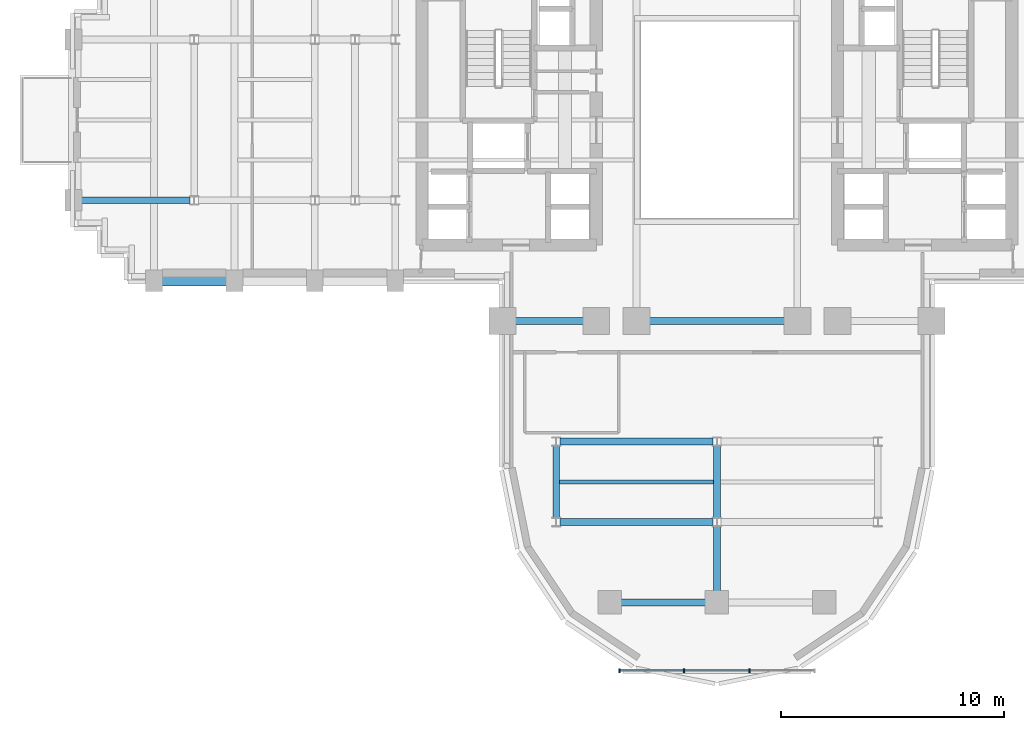
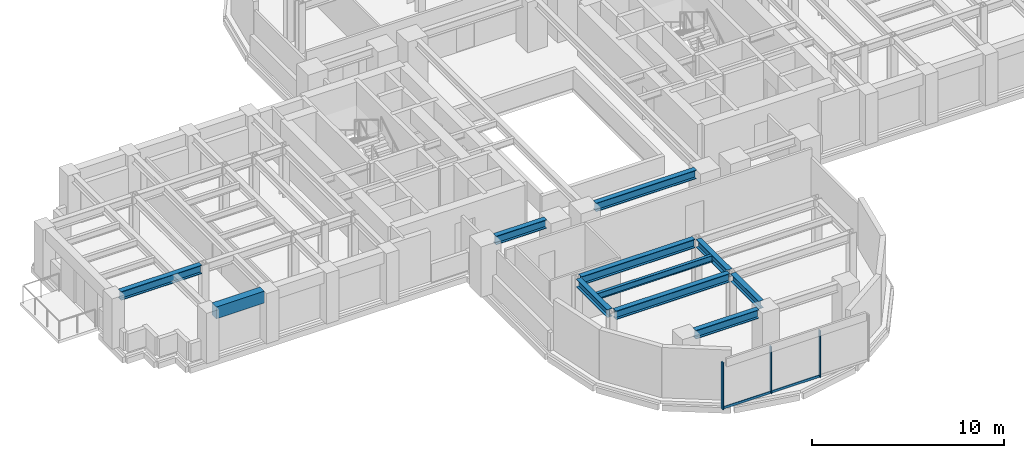
# One storey, part 3 of 14: 11 beams, 5 members, 1 element without a shape of its own.
"""IFC4 building model written with IfcOpenShell, lengths in metres."""

import ifcopenshell
import ifcopenshell.guid

model = None  # the IFC model being written
_history = None  # IfcOwnerHistory: only IFC2X3 demands one
_inside = {}  # id of a spatial element -> (the spatial element, [elements in it])
_under = {}  # id of a project, library or spatial element -> (it, [spatial elements below it])
_declared = {}  # id of a project -> (the project, [libraries it declares])
_typed = {}  # id of a type object -> (the type object, [elements of that type])
_made_of = {}  # id of a material, layer set ... -> (it, [elements and type objects made of it])


def new_model(schema):
    """Start an empty IFC model of exactly this schema.

    Asked for "IFC4X3", IfcOpenShell would pick the latest addendum, in which some entities
    have other attributes; the version numbers below select the first issue.
    IFC2X3 requires an IfcOwnerHistory on every rooted entity: one is made here for all.
    """
    global model, _history
    if schema == "IFC4X3":
        model = ifcopenshell.file(schema_version=(4, 3, 0, 0))
    else:
        model = ifcopenshell.file(schema=schema)
    _inside.clear()
    _under.clear()
    _declared.clear()
    _typed.clear()
    _made_of.clear()
    _history = None
    if model.schema == "IFC2X3":
        org = make("IfcOrganization", Name="unknown")
        user = make(
            "IfcPersonAndOrganization",
            ThePerson=make("IfcPerson", FamilyName="unknown"),
            TheOrganization=org,
        )
        app = make(
            "IfcApplication",
            ApplicationDeveloper=org,
            Version="unknown",
            ApplicationFullName="unknown",
            ApplicationIdentifier="unknown",
        )
        _history = make(
            "IfcOwnerHistory",
            OwningUser=user,
            OwningApplication=app,
            ChangeAction="ADDED",
            CreationDate=0,
        )
    return model


def make(cls, **values):
    """One entity of the class cls with the attributes given. An attribute that is None is left unset."""
    return model.create_entity(
        cls, **{name: value for name, value in values.items() if value is not None}
    )


def rooted(cls, **values):
    """An entity with a GlobalId (a new one), such as an element, a storey or a relation."""
    return make(cls, GlobalId=ifcopenshell.guid.new(), OwnerHistory=_history, **values)


def si_unit(unit_type, name, prefix=None):
    """IfcSIUnit, for example si_unit("LENGTHUNIT", "METRE", prefix="MILLI")."""
    return make("IfcSIUnit", UnitType=unit_type, Prefix=prefix, Name=name)


def assignment(units):
    """IfcUnitAssignment: the units of a project."""
    return None if units is None else make("IfcUnitAssignment", Units=units)


def point(xyz):
    """IfcCartesianPoint."""
    return None if xyz is None else make("IfcCartesianPoint", Coordinates=xyz)


def direction(xyz):
    """IfcDirection."""
    return None if xyz is None else make("IfcDirection", DirectionRatios=xyz)


def frame(location, z_axis=None, x_axis=None):
    """IfcAxis2Placement3D, a coordinate frame: its origin and axes. An axis left out is left unset."""
    return make(
        "IfcAxis2Placement3D",
        Location=point(location),
        Axis=direction(z_axis),
        RefDirection=direction(x_axis),
    )


def frame_2d(location, x_axis=None):
    """IfcAxis2Placement2D, a coordinate frame in the plane: its origin and x axis."""
    return make(
        "IfcAxis2Placement2D", Location=point(location), RefDirection=direction(x_axis)
    )


def origin():
    """The frame at (0, 0, 0) with its axes left unset."""
    return frame((0.0, 0.0, 0.0))


def origin_2d():
    """The frame at (0, 0) in the plane with its x axis left unset."""
    return frame_2d((0.0, 0.0))


def place(relative_to, where):
    """IfcLocalPlacement: puts the frame where relative to a parent placement (None: the world)."""
    return make(
        "IfcLocalPlacement", PlacementRelTo=relative_to, RelativePlacement=where
    )


def context(
    kind, dimensions, precision=None, world=None, true_north=None, identifier=None
):
    """IfcGeometricRepresentationContext, for example the 3D "Model" context."""
    return make(
        "IfcGeometricRepresentationContext",
        ContextIdentifier=identifier,
        ContextType=kind,
        CoordinateSpaceDimension=dimensions,
        Precision=precision,
        WorldCoordinateSystem=world,
        TrueNorth=true_north,
    )


def subcontext(parent, identifier, kind, view, scale=None):
    """IfcGeometricRepresentationSubContext, for example "Body" below "Model"."""
    return make(
        "IfcGeometricRepresentationSubContext",
        ContextIdentifier=identifier,
        ContextType=kind,
        ParentContext=parent,
        TargetScale=scale,
        TargetView=view,
    )


def project(units=None, contexts=None):
    """IfcProject with its units and contexts."""
    return rooted(
        "IfcProject",
        Name="project",
        RepresentationContexts=contexts,
        UnitsInContext=assignment(units),
    )


def spatial(cls, under=None, at=None, **own):
    """A site, building, storey or space (cls), placed at a placement, below another one or the project."""
    s = rooted(cls, ObjectPlacement=at, **own)
    if under is not None:
        _under.setdefault(under.id(), (under, []))[1].append(s)
    return s


def profile(cls, at=None, kind="AREA", **sizes):
    """A parametric profile (cls). Its sizes go by their IFC names, for example OverallWidth=200.0."""
    return make(cls, ProfileType=kind, Position=at, **sizes)


def rectangle(**sizes):
    """IfcRectangleProfileDef."""
    return profile("IfcRectangleProfileDef", **sizes)


def i_section(**sizes):
    """IfcIShapeProfileDef."""
    return profile("IfcIShapeProfileDef", **sizes)


def extrude(swept, where, along, depth):
    """IfcExtrudedAreaSolid: the profile swept, set in the frame where, extruded along a direction by depth."""
    return make(
        "IfcExtrudedAreaSolid",
        SweptArea=swept,
        Position=where,
        ExtrudedDirection=direction(along),
        Depth=depth,
    )


def shape(context_of_items, identifier, shape_type, items):
    """IfcShapeRepresentation: the items that make up one representation, for example the "Body"."""
    return make(
        "IfcShapeRepresentation",
        ContextOfItems=context_of_items,
        RepresentationIdentifier=identifier,
        RepresentationType=shape_type,
        Items=items,
    )


def source(mapping_origin, context_of_items, identifier, shape_type, items):
    """IfcRepresentationMap: a shape defined once, which mapped items show again and again."""
    return make(
        "IfcRepresentationMap",
        MappingOrigin=mapping_origin,
        MappedRepresentation=shape(context_of_items, identifier, shape_type, items),
    )


def transform(
    local_origin,
    x_axis=None,
    y_axis=None,
    z_axis=None,
    scale=None,
    scale2=None,
    scale3=None,
    uniform=True,
):
    """IfcCartesianTransformationOperator3D, or its non-uniform kind. x_axis, y_axis, z_axis: its Axis1, 2, 3."""
    if uniform:
        return make(
            "IfcCartesianTransformationOperator3D",
            Axis1=direction(x_axis),
            Axis2=direction(y_axis),
            LocalOrigin=point(local_origin),
            Scale=scale,
            Axis3=direction(z_axis),
        )
    return make(
        "IfcCartesianTransformationOperator3DnonUniform",
        Axis1=direction(x_axis),
        Axis2=direction(y_axis),
        LocalOrigin=point(local_origin),
        Scale=scale,
        Axis3=direction(z_axis),
        Scale2=scale2,
        Scale3=scale3,
    )


def mapped(mapping_source, mapping_target):
    """IfcMappedItem: shows the shape of a source again, moved by a transform."""
    return make(
        "IfcMappedItem", MappingSource=mapping_source, MappingTarget=mapping_target
    )


def material(Name=None, Category=None):
    """IfcMaterial."""
    return make("IfcMaterial", Name=Name, Category=Category)


def material_profile(
    of_material, cross_section, Name=None, Category=None, Priority=None
):
    """IfcMaterialProfile: a cross section and its material."""
    return make(
        "IfcMaterialProfile",
        Name=Name,
        Material=of_material,
        Profile=cross_section,
        Priority=Priority,
        Category=Category,
    )


def profile_set(profiles, Name=None, composite=None):
    """IfcMaterialProfileSet."""
    return make(
        "IfcMaterialProfileSet",
        Name=Name,
        MaterialProfiles=profiles,
        CompositeProfile=composite,
    )


def made_of(thing, what):
    """Note that an element or type object is made of a material, layer set ...; save() writes the relation."""
    if what is not None:
        _made_of.setdefault(what.id(), (what, []))[1].append(thing)
    return thing


def type_object(cls, material=None, **own):
    """A type object (cls), such as IfcWallType, which elements share."""
    return made_of(rooted(cls, **own), material)


def element(
    cls,
    number,
    at=None,
    inside=None,
    cuts=None,
    type_object=None,
    material=None,
    context=None,
    identifier="Body",
    shape_type=None,
    held_by="IfcProductDefinitionShape",
    body=None,
    shapes=None,
    **own,
):
    """One element of the class cls, such as IfcWall. Its Tag is "e" and its number.

    at: its placement. inside: the storey or other place that contains it. cuts: it is an
    opening in that element (IfcRelVoidsElement). A single representation is given by context,
    identifier, shape_type and body (its items); several are given by shapes. held_by: the class
    of the entity that holds the representations. save() writes the other relations.
    """
    e = rooted(cls, Tag="e%d" % number, ObjectPlacement=at, **own)
    if body is not None:
        shapes = [shape(context, identifier, shape_type, body)]
    if shapes is not None:
        e.Representation = make(held_by, Representations=shapes)
    if inside is not None:
        _inside.setdefault(inside.id(), (inside, []))[1].append(e)
    if cuts is not None:
        rooted(
            "IfcRelVoidsElement", RelatingBuildingElement=cuts, RelatedOpeningElement=e
        )
    if type_object is not None:
        _typed.setdefault(type_object.id(), (type_object, []))[1].append(e)
    return made_of(e, material)


def aggregate(whole, parts):
    """IfcRelAggregates: a whole, such as a stair, and the parts it consists of."""
    return rooted("IfcRelAggregates", RelatingObject=whole, RelatedObjects=parts)


def save(model, path):
    """Write the relations noted so far, then the file.

    IfcRelAggregates (storeys below a building ...), IfcRelContainedInSpatialStructure (elements
    in a storey), IfcRelDefinesByType, IfcRelAssociatesMaterial and IfcRelDeclares: one each for
    every whole, place, type object, material and project.
    """
    for whole, parts in _under.values():
        aggregate(whole, parts)
    for where, things in _inside.values():
        rooted(
            "IfcRelContainedInSpatialStructure",
            RelatedElements=things,
            RelatingStructure=where,
        )
    for kind, things in _typed.values():
        rooted("IfcRelDefinesByType", RelatedObjects=things, RelatingType=kind)
    for what, things in _made_of.values():
        rooted("IfcRelAssociatesMaterial", RelatedObjects=things, RelatingMaterial=what)
    for by, libraries in _declared.values():
        rooted("IfcRelDeclares", RelatingContext=by, RelatedDefinitions=libraries)
    model.write(path)


model = new_model("IFC4")

# Units and contexts
model_context = context("Model", 3, precision=1e-05, world=origin(), true_north=direction((0.0, 1.0)))
body_context = subcontext(model_context, "Body", "Model", "MODEL_VIEW")
ifc_project = project(units=[si_unit("LENGTHUNIT", "METRE"), si_unit("AREAUNIT", "SQUARE_METRE"), si_unit("VOLUMEUNIT", "CUBIC_METRE"), si_unit("PLANEANGLEUNIT", "RADIAN"), si_unit("MASSUNIT", "GRAM", prefix="KILO")], contexts=[model_context])

# Site, building, storey
site_placement = place(None, origin())
site = spatial("IfcSite", under=ifc_project, at=site_placement, CompositionType="ELEMENT")
building_placement = place(site_placement, origin())
building = spatial("IfcBuilding", under=site, at=building_placement, Name="Keilestroom Media Tower", CompositionType="ELEMENT")
storey_placement = place(building_placement, frame((0.0, 0.0, 44.199951171875)))
storey = spatial("IfcBuildingStorey", under=building, at=storey_placement, Name="L10", CompositionType="ELEMENT", Elevation=44.199951171875)

# Beams
ifc_material_1 = material(Name="Steel S355", Category="steel")
ifc_material_profile_1 = material_profile(ifc_material_1, i_section(OverallWidth=0.300048828125, OverallDepth=0.550048828125, WebThickness=0.012939453125, FlangeThickness=0.029052734375, at=origin_2d()), Name="HEB 550")
ifc_profile_set_1 = profile_set([ifc_material_profile_1], Name="Steel S355")
beam_type_1 = type_object("IfcBeamType", Name="Primary-Structural-Girder-HEB-550", PredefinedType="BEAM", material=ifc_profile_set_1)
shared_shape_1 = source(origin(), body_context, "Body", "SweptSolid", [
    extrude(i_section(OverallWidth=0.300048828125, OverallDepth=0.550048828125, WebThickness=0.012939453125, FlangeThickness=0.029052734375, at=origin_2d()), origin(), (0.0, 0.0, 1.0), 3.7900390625),
])
beam_1_placement = place(storey_placement, frame((-4.294921875, -21.60009765625, 2.925048828125), z_axis=(1.0, 0.0, 0.0), x_axis=(0.0, 1.0, 0.0)))
element("IfcBeam", 1, at=beam_1_placement, inside=storey, type_object=beam_type_1, Name="L10 Beam BG-5 BM-L10-EW-001", PredefinedType="BEAM", context=body_context, shape_type="MappedRepresentation", body=[
    mapped(shared_shape_1, transform((0.0, 0.0, 0.0), x_axis=(1.0, 0.0, 0.0), y_axis=(0.0, 1.0, 0.0), z_axis=(0.0, 0.0, 1.0), scale=1.0)),
])
shared_shape_2 = source(origin(), body_context, "Body", "SweptSolid", [
    extrude(i_section(OverallWidth=0.300048828125, OverallDepth=0.550048828125, WebThickness=0.012939453125, FlangeThickness=0.029052734375, at=origin_2d()), origin(), (0.0, 0.0, 1.0), 6.836181640625),
])
for number, where, z_axis, x_axis, name in (
    (2, (-7.01806640625, -18.0, 2.925048828125), (1.0, 0.0, 0.0), (0.0, 1.0, 0.0), "L10 Beam BG-5 BM-L10-EW-003"),
    (3, (-7.01806640625, -14.39990234375, 2.925048828125), (1.0, 0.0, 0.0), (0.0, 1.0, 0.0), "L10 Beam BG-5 BM-L10-EW-005"),
):
    element("IfcBeam", number, at=place(storey_placement, frame(where, z_axis=z_axis, x_axis=x_axis)), inside=storey, type_object=beam_type_1, Name=name, PredefinedType="BEAM", context=body_context, shape_type="MappedRepresentation", body=[
        mapped(shared_shape_2, transform((0.0, 0.0, 0.0), x_axis=(1.0, 0.0, 0.0), y_axis=(0.0, 1.0, 0.0), z_axis=(0.0, 0.0, 1.0), scale=1.0)),
    ])
shared_shape_3 = source(origin(), body_context, "Body", "SweptSolid", [
    extrude(i_section(OverallWidth=0.300048828125, OverallDepth=0.550048828125, WebThickness=0.012939453125, FlangeThickness=0.029052734375, at=origin_2d()), origin(), (0.0, 0.0, 1.0), 3.0400390625),
])
beam_2_placement = place(storey_placement, frame((-9.02001953125, -9.0, 2.925048828125), z_axis=(1.0, 0.0, 0.0), x_axis=(0.0, 1.0, 0.0)))
element("IfcBeam", 4, at=beam_2_placement, inside=storey, type_object=beam_type_1, Name="L10 Beam BG-5 BM-L10-EW-007", PredefinedType="BEAM", context=body_context, shape_type="MappedRepresentation", body=[
    mapped(shared_shape_3, transform((0.0, 0.0, 0.0), x_axis=(1.0, 0.0, 0.0), y_axis=(0.0, 1.0, 0.0), z_axis=(0.0, 0.0, 1.0), scale=1.0)),
])
shared_shape_4 = source(origin(), body_context, "Body", "SweptSolid", [
    extrude(i_section(OverallWidth=0.300048828125, OverallDepth=0.550048828125, WebThickness=0.012939453125, FlangeThickness=0.029052734375, at=origin_2d()), origin(), (0.0, 0.0, 1.0), 6.0400390625),
])
beam_3_placement = place(storey_placement, frame((-3.02001953125, -9.0, 2.925048828125), z_axis=(1.0, 0.0, 0.0), x_axis=(0.0, 1.0, 0.0)))
element("IfcBeam", 5, at=beam_3_placement, inside=storey, type_object=beam_type_1, Name="L10 Beam BG-5 BM-L10-EW-009", PredefinedType="BEAM", context=body_context, shape_type="MappedRepresentation", body=[
    mapped(shared_shape_4, transform((0.0, 0.0, 0.0), x_axis=(1.0, 0.0, 0.0), y_axis=(0.0, 1.0, 0.0), z_axis=(0.0, 0.0, 1.0), scale=1.0)),
])
ifc_material_2 = material(Name="Precast concrete C40/50", Category="concrete")
ifc_material_profile_2 = material_profile(ifc_material_2, rectangle(XDim=0.449951171875, YDim=0.75, at=origin_2d()), Name="PC 450x750")
ifc_profile_set_2 = profile_set([ifc_material_profile_2], Name="Precast concrete C40/50")
beam_type_2 = type_object("IfcBeamType", Name="Perimeter-Spandrel-Beam-PC-450x750", PredefinedType="SPANDREL", material=ifc_profile_set_2)
shared_shape_5 = source(origin(), body_context, "Body", "SweptSolid", [
    extrude(rectangle(XDim=0.449951171875, YDim=0.75, at=origin_2d()), origin(), (0.0, 0.0, 1.0), 2.889892578125),
])
beam_4_placement = place(storey_placement, frame((-24.844970703125, -7.199951171875, 2.824951171875), z_axis=(1.0, 0.0, 0.0), x_axis=(0.0, 1.0, 0.0)))
element("IfcBeam", 6, at=beam_4_placement, inside=storey, type_object=beam_type_2, Name="L10 Beam SPB-1 BM-L10-EW-012", PredefinedType="SPANDREL", context=body_context, shape_type="MappedRepresentation", body=[
    mapped(shared_shape_5, transform((0.0, 0.0, 0.0), x_axis=(1.0, 0.0, 0.0), y_axis=(0.0, 1.0, 0.0), z_axis=(0.0, 0.0, 1.0), scale=1.0)),
])
shared_shape_6 = source(origin(), body_context, "Body", "SweptSolid", [
    extrude(i_section(OverallWidth=0.300048828125, OverallDepth=0.550048828125, WebThickness=0.012939453125, FlangeThickness=0.029052734375, at=origin_2d()), origin(), (0.0, 0.0, 1.0), 4.863037109375),
])
beam_5_placement = place(storey_placement, frame((-28.445068359375, -3.60009765625, 2.925048828125), z_axis=(1.0, 0.0, 0.0), x_axis=(0.0, 1.0, 0.0)))
element("IfcBeam", 7, at=beam_5_placement, inside=storey, type_object=beam_type_1, Name="L10 Beam BG-5 BM-L10-EW-018", PredefinedType="BEAM", context=body_context, shape_type="MappedRepresentation", body=[
    mapped(shared_shape_6, transform((0.0, 0.0, 0.0), x_axis=(1.0, 0.0, 0.0), y_axis=(0.0, 1.0, 0.0), z_axis=(0.0, 0.0, 1.0), scale=1.0)),
])
ifc_material_profile_3 = material_profile(ifc_material_1, i_section(OverallWidth=0.300048828125, OverallDepth=0.5, WebThickness=0.012451171875, FlangeThickness=0.028076171875, at=origin_2d()), Name="HEB 500")
ifc_profile_set_3 = profile_set([ifc_material_profile_3], Name="Steel S355")
beam_type_3 = type_object("IfcBeamType", Name="Primary-Structural-Girder-HEB-500", PredefinedType="BEAM", material=ifc_profile_set_3)
shared_shape_7 = source(origin(), body_context, "Body", "SweptSolid", [
    extrude(i_section(OverallWidth=0.300048828125, OverallDepth=0.5, WebThickness=0.012451171875, FlangeThickness=0.028076171875, at=origin_2d()), origin(), (0.0, 0.0, 1.0), 3.23291015625),
])
for number, where, z_axis, x_axis, name in (
    (8, (-7.199951171875, -17.81640625, 2.949951171875), (0.0, 1.0, 0.0), (-1.0, 0.0, 0.0), "L10 Beam BG-6 BM-L10-NS-063"),
    (9, (0.0, -17.81640625, 2.949951171875), (0.0, 1.0, 0.0), (-1.0, 0.0, 0.0), "L10 Beam BG-6 BM-L10-NS-068"),
):
    element("IfcBeam", number, at=place(storey_placement, frame(where, z_axis=z_axis, x_axis=x_axis)), inside=storey, type_object=beam_type_3, Name=name, PredefinedType="BEAM", context=body_context, shape_type="MappedRepresentation", body=[
        mapped(shared_shape_7, transform((0.0, 0.0, 0.0), x_axis=(1.0, 0.0, 0.0), y_axis=(0.0, 1.0, 0.0), z_axis=(0.0, 0.0, 1.0), scale=1.0)),
    ])
shared_shape_8 = source(origin(), body_context, "Body", "SweptSolid", [
    extrude(i_section(OverallWidth=0.300048828125, OverallDepth=0.5, WebThickness=0.012451171875, FlangeThickness=0.028076171875, at=origin_2d()), origin(), (0.0, 0.0, 1.0), 2.911376953125),
])
beam_6_placement = place(storey_placement, frame((0.0, -21.094970703125, 2.949951171875), z_axis=(0.0, 1.0, 0.0), x_axis=(-1.0, 0.0, 0.0)))
element("IfcBeam", 10, at=beam_6_placement, inside=storey, type_object=beam_type_3, Name="L10 Beam BG-6 BM-L10-NS-067", PredefinedType="BEAM", context=body_context, shape_type="MappedRepresentation", body=[
    mapped(shared_shape_8, transform((0.0, 0.0, 0.0), x_axis=(1.0, 0.0, 0.0), y_axis=(0.0, 1.0, 0.0), z_axis=(0.0, 0.0, 1.0), scale=1.0)),
])
ifc_material_profile_4 = material_profile(ifc_material_1, i_section(OverallWidth=0.179931640625, OverallDepth=0.39990234375, WebThickness=0.008544921875, FlangeThickness=0.013427734375, at=origin_2d()), Name="IPE 400")
ifc_profile_set_4 = profile_set([ifc_material_profile_4], Name="Steel S355")
beam_type_4 = type_object("IfcBeamType", Name="Secondary-Floor-Joist-IPE-400", PredefinedType="JOIST", material=ifc_profile_set_4)
shared_shape_9 = source(origin(), body_context, "Body", "SweptSolid", [
    extrude(i_section(OverallWidth=0.179931640625, OverallDepth=0.39990234375, WebThickness=0.008544921875, FlangeThickness=0.013427734375, at=origin_2d()), origin(), (0.0, 0.0, 1.0), 6.940185546875),
])
beam_7_placement = place(storey_placement, frame((-7.070068359375, -16.199951171875, 3.0), z_axis=(1.0, 0.0, 0.0), x_axis=(0.0, 1.0, 0.0)))
element("IfcBeam", 11, at=beam_7_placement, inside=storey, type_object=beam_type_4, Name="L10 Beam BJ-4 JST-L10-087", PredefinedType="JOIST", context=body_context, shape_type="MappedRepresentation", body=[
    mapped(shared_shape_9, transform((0.0, 0.0, 0.0), x_axis=(1.0, 0.0, 0.0), y_axis=(0.0, 1.0, 0.0), z_axis=(0.0, 0.0, 1.0), scale=1.0)),
])

# Curtain wall, members
ifc_material_3 = material(Name="Anodised Aluminium Alloy", Category="aluminium")
curtain_wall_type = type_object("IfcCurtainWallType", Name="Unitised-Curtain-Wall-CW-6", PredefinedType="NOTDEFINED", material=ifc_material_3)
curtain_wall_placement = place(storey_placement, origin())
curtain_wall = element("IfcCurtainWall", 12, at=curtain_wall_placement, inside=storey, type_object=curtain_wall_type, Name="L10 Curtain Wall CW-6 CW-L10-LS-1", PredefinedType="NOTDEFINED")
ifc_material_profile_5 = material_profile(ifc_material_3, rectangle(XDim=0.06494140625, YDim=0.179931640625, at=origin_2d()), Name="ALU MULLION 65x180")
ifc_profile_set_5 = profile_set([ifc_material_profile_5], Name="Anodised Aluminium Alloy")
member_type_1 = type_object("IfcMemberType", Name="Curtain-Wall-Mullion-CW-6", PredefinedType="MULLION", material=ifc_profile_set_5)
shared_shape_10 = source(origin(), body_context, "Body", "SweptSolid", [
    extrude(rectangle(XDim=0.06494140625, YDim=0.179931640625, at=origin_2d()), origin(), (0.0, 0.0, 1.0), 2.97998046875),
])
member_1_placement = place(storey_placement, frame((-4.367431640625, -24.64990234375, 0.0), z_axis=(0.0, 0.0, 1.0), x_axis=(1.0, 0.0, 0.0)))
member_1 = element("IfcMember", 13, at=member_1_placement, type_object=member_type_1, Name="CW-6 Mullion 00", PredefinedType="MULLION", context=body_context, shape_type="MappedRepresentation", body=[
    mapped(shared_shape_10, transform((0.0, 0.0, 0.0), x_axis=(1.0, 0.0, 0.0), y_axis=(0.0, 1.0, 0.0), z_axis=(0.0, 0.0, 1.0), scale=1.0)),
])
member_2_placement = place(storey_placement, frame((-1.466796875, -24.64990234375, 0.0), z_axis=(0.0, 0.0, 1.0), x_axis=(1.0, 0.0, 0.0)))
member_2 = element("IfcMember", 14, at=member_2_placement, type_object=member_type_1, Name="CW-6 Mullion 01", PredefinedType="MULLION", context=body_context, shape_type="MappedRepresentation", body=[
    mapped(shared_shape_10, transform((0.0, 0.0, 0.0), x_axis=(1.0, 0.0, 0.0), y_axis=(0.0, 1.0, 0.0), z_axis=(0.0, 0.0, 1.0), scale=1.0)),
])
member_3_placement = place(storey_placement, frame((1.466796875, -24.64990234375, 0.0), z_axis=(0.0, 0.0, 1.0), x_axis=(1.0, 0.0, 0.0)))
member_3 = element("IfcMember", 15, at=member_3_placement, type_object=member_type_1, Name="CW-6 Mullion 02", PredefinedType="MULLION", context=body_context, shape_type="MappedRepresentation", body=[
    mapped(shared_shape_10, transform((0.0, 0.0, 0.0), x_axis=(1.0, 0.0, 0.0), y_axis=(0.0, 1.0, 0.0), z_axis=(0.0, 0.0, 1.0), scale=1.0)),
])
ifc_material_profile_6 = material_profile(ifc_material_3, rectangle(XDim=0.06494140625, YDim=0.14990234375, at=origin_2d()), Name="ALU TRANSOM 65x150")
ifc_profile_set_6 = profile_set([ifc_material_profile_6], Name="Anodised Aluminium Alloy")
member_type_2 = type_object("IfcMemberType", Name="Curtain-Wall-Transom-CW-6", PredefinedType="USERDEFINED", material=ifc_profile_set_6)
shared_shape_11 = source(origin(), body_context, "Body", "SweptSolid", [
    extrude(rectangle(XDim=0.06494140625, YDim=0.14990234375, at=origin_2d()), origin(), (0.0, 0.0, 1.0), 2.839599609375),
])
member_4_placement = place(storey_placement, frame((-4.3369140625, -24.64990234375, 0.074951171875), z_axis=(1.0, 0.0, 0.0), x_axis=(0.0, 1.0, 0.0)))
member_4 = element("IfcMember", 16, at=member_4_placement, type_object=member_type_2, Name="CW-6 Transom 00.1", ObjectType="TRANSOM", PredefinedType="USERDEFINED", context=body_context, shape_type="MappedRepresentation", body=[
    mapped(shared_shape_11, transform((0.0, 0.0, 0.0), x_axis=(1.0, 0.0, 0.0), y_axis=(0.0, 1.0, 0.0), z_axis=(0.0, 0.0, 1.0), scale=1.0)),
])
shared_shape_12 = source(origin(), body_context, "Body", "SweptSolid", [
    extrude(rectangle(XDim=0.06494140625, YDim=0.14990234375, at=origin_2d()), origin(), (0.0, 0.0, 1.0), 2.87255859375),
])
member_5_placement = place(storey_placement, frame((-1.436279296875, -24.64990234375, 0.074951171875), z_axis=(1.0, 0.0, 0.0), x_axis=(0.0, 1.0, 0.0)))
member_5 = element("IfcMember", 17, at=member_5_placement, type_object=member_type_2, Name="CW-6 Transom 01.1", ObjectType="TRANSOM", PredefinedType="USERDEFINED", context=body_context, shape_type="MappedRepresentation", body=[
    mapped(shared_shape_12, transform((0.0, 0.0, 0.0), x_axis=(1.0, 0.0, 0.0), y_axis=(0.0, 1.0, 0.0), z_axis=(0.0, 0.0, 1.0), scale=1.0)),
])
aggregate(curtain_wall, [member_1, member_2, member_3, member_4, member_5])

save(model, "model.ifc")
